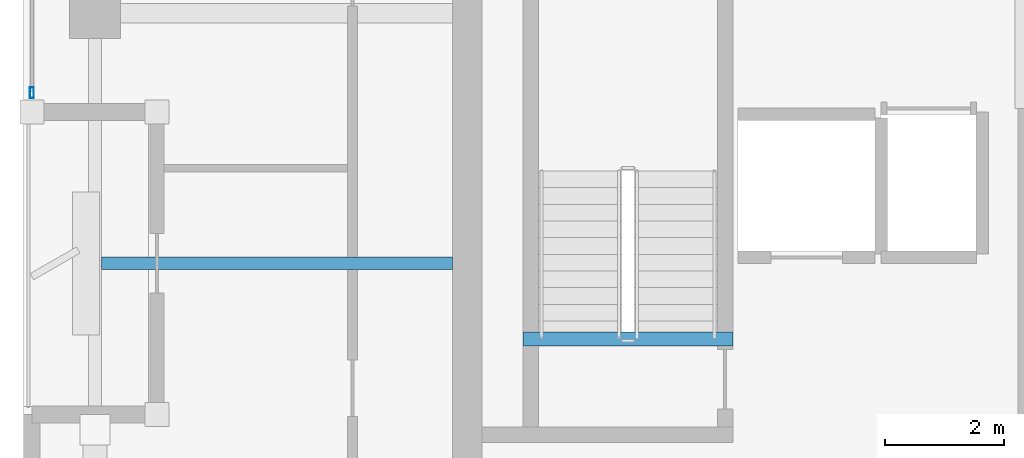
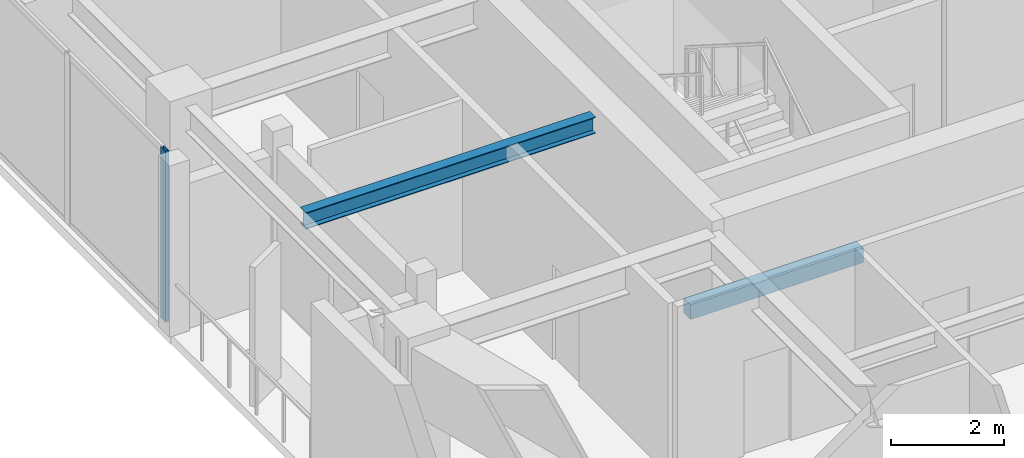
# One storey, part 2 of 16: 2 beams, 1 member, 1 element without a shape of its own.
"""IFC4 building model written with IfcOpenShell, lengths in metres."""

from ifc_helpers import new_model, si_unit, direction, frame, origin, origin_2d, place, context, subcontext, project, spatial, rectangle, hollow_rectangle, i_section, extrude, material, layer, layer_set, material_profile, profile_set, type_object, element, aggregate, save


model = new_model("IFC4")

# Units and contexts
model_context = context("Model", 3, precision=1e-05, world=origin(), true_north=direction((0.0, 1.0)))
body_context = subcontext(model_context, "Body", "Model", "MODEL_VIEW")
ifc_project = project(units=[si_unit("LENGTHUNIT", "METRE"), si_unit("AREAUNIT", "SQUARE_METRE"), si_unit("VOLUMEUNIT", "CUBIC_METRE"), si_unit("PLANEANGLEUNIT", "RADIAN"), si_unit("MASSUNIT", "GRAM", prefix="KILO")], contexts=[model_context])

# Site, building, storey
site_placement = place(None, origin())
site = spatial("IfcSite", under=ifc_project, at=site_placement, CompositionType="ELEMENT")
building_placement = place(site_placement, origin())
building = spatial("IfcBuilding", under=site, at=building_placement, Name="Kiyonajd Concourse Tower", CompositionType="ELEMENT")
storey_placement = place(building_placement, frame((0.0, 0.0, 310.199951171875)))
storey = spatial("IfcBuildingStorey", under=building, at=storey_placement, Name="L78", CompositionType="ELEMENT", Elevation=310.199951171875)

# Beams
ifc_material_1 = material(Name="Steel ASTM A992 Grade 50", Category="steel")
ifc_material_profile_1 = material_profile(ifc_material_1, i_section(OverallWidth=0.205078125, OverallDepth=0.35400390625, WebThickness=0.009521484375, FlangeThickness=0.016845703125, at=origin_2d()), Name="W360X79")
ifc_profile_set_1 = profile_set([ifc_material_profile_1], Name="Steel ASTM A992 Grade 50")
beam_type_1 = type_object("IfcBeamType", Name="BM-JST-360", PredefinedType="JOIST", material=ifc_profile_set_1)
beam_1_placement = place(storey_placement, frame((26.505615234375, 31.800048828125, 3.5029296875), z_axis=(1.0, 0.0, 0.0), x_axis=(0.0, 1.0, 0.0)))
element("IfcBeam", 1, at=beam_1_placement, inside=storey, type_object=beam_type_1, Name="L78 West Secondary Floor Joist", PredefinedType="JOIST", context=body_context, shape_type="SweptSolid", body=[
    extrude(i_section(OverallWidth=0.205078125, OverallDepth=0.35400390625, WebThickness=0.009521484375, FlangeThickness=0.016845703125, at=origin_2d()), origin(), (0.0, 0.0, 1.0), 5.894287109375),
])
ifc_material_2 = material(Name="Concrete C50/60", Category="concrete")
ifc_material_profile_2 = material_profile(ifc_material_2, rectangle(XDim=0.239990234375, YDim=0.320068359375, at=origin_2d()), Name="RCBM-240x320")
ifc_profile_set_2 = profile_set([ifc_material_profile_2], Name="Concrete C50/60")
beam_type_2 = type_object("IfcBeamType", Name="BM-LNT-250", PredefinedType="LINTEL", material=ifc_profile_set_2)
beam_2_placement = place(storey_placement, frame((33.590087890625, 30.530029296875, -0.159912109375), z_axis=(1.0, 0.0, 0.0), x_axis=(0.0, 1.0, 0.0)))
element("IfcBeam", 2, at=beam_2_placement, inside=storey, type_object=beam_type_2, Name="L78 Stair ST1 Threshold Support Beam", PredefinedType="LINTEL", context=body_context, shape_type="SweptSolid", body=[
    extrude(rectangle(XDim=0.239990234375, YDim=0.320068359375, at=origin_2d()), origin(), (0.0, 0.0, 1.0), 3.52001953125),
])

# Curtain wall, member
ifc_material_3 = material(Name="Thermally Broken Anodised Aluminium", Category="aluminium")
ifc_layer = layer(ifc_material_3, 0.179931640625)
ifc_layer_set = layer_set([ifc_layer], Name="Thermally Broken Anodised Aluminium")
curtain_wall_type = type_object("IfcCurtainWallType", Name="CW-SYS-04", PredefinedType="NOTDEFINED", material=ifc_layer_set)
curtain_wall_placement = place(storey_placement, origin())
curtain_wall = element("IfcCurtainWall", 3, at=curtain_wall_placement, inside=storey, type_object=curtain_wall_type, Name="L78 Unitised Curtain Wall CW4", PredefinedType="NOTDEFINED")
ifc_material_profile_3 = material_profile(ifc_material_3, hollow_rectangle(XDim=0.06494140625, YDim=0.179931640625, WallThickness=0.00390625, at=origin_2d()), Name="MULL-65x180")
ifc_profile_set_3 = profile_set([ifc_material_profile_3], Name="Thermally Broken Anodised Aluminium")
member_type = type_object("IfcMemberType", Name="MB-CW-MULL1", PredefinedType="MULLION", material=ifc_profile_set_3)
member_placement = place(storey_placement, frame((25.340087890625, 34.66259765625, 0.0), z_axis=(0.0, 0.0, 1.0), x_axis=(-1.0, 0.0, 0.0)))
member = element("IfcMember", 4, at=member_placement, type_object=member_type, Name="CW4 mullion 1", PredefinedType="MULLION", context=body_context, shape_type="SweptSolid", body=[
    extrude(hollow_rectangle(XDim=0.06494140625, YDim=0.179931640625, WallThickness=0.00390625, at=origin_2d()), origin(), (0.0, 0.0, 1.0), 3.679931640625),
])
aggregate(curtain_wall, [member])

save(model, "model.ifc")
